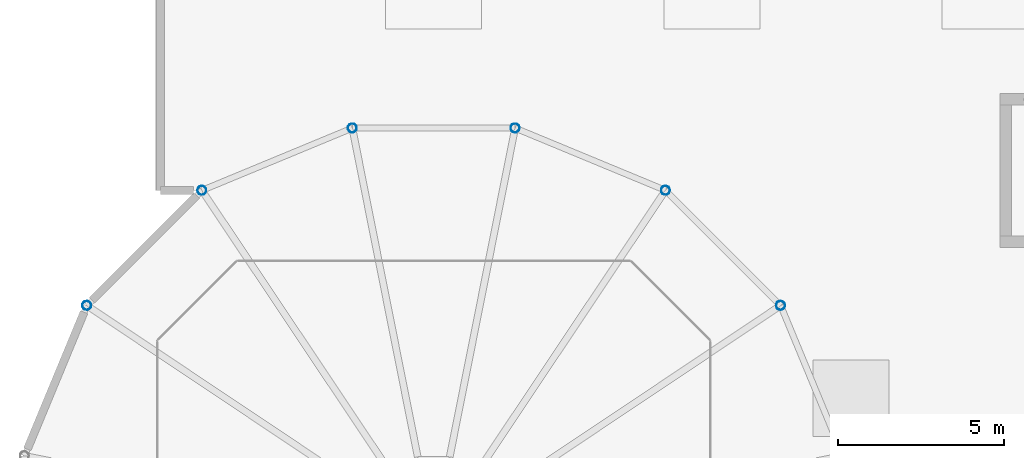
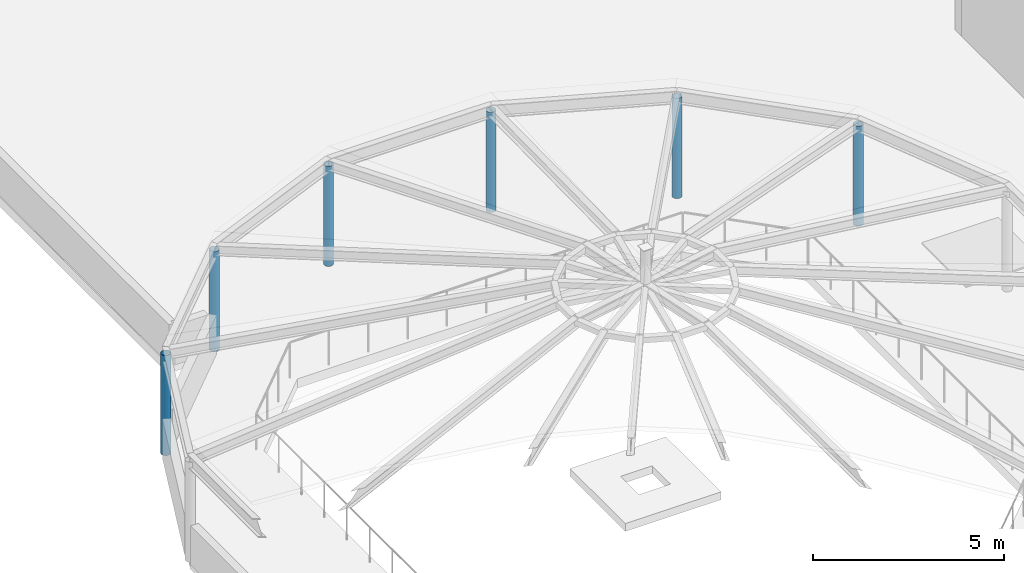
# One storey, part 2 of 85: 6 columns.
"""IFC4 building model written with IfcOpenShell, lengths in metres."""

import ifcopenshell
import ifcopenshell.guid

model = None  # the IFC model being written
_history = None  # IfcOwnerHistory: only IFC2X3 demands one
_inside = {}  # id of a spatial element -> (the spatial element, [elements in it])
_under = {}  # id of a project, library or spatial element -> (it, [spatial elements below it])
_declared = {}  # id of a project -> (the project, [libraries it declares])
_typed = {}  # id of a type object -> (the type object, [elements of that type])
_made_of = {}  # id of a material, layer set ... -> (it, [elements and type objects made of it])


def new_model(schema):
    """Start an empty IFC model of exactly this schema.

    Asked for "IFC4X3", IfcOpenShell would pick the latest addendum, in which some entities
    have other attributes; the version numbers below select the first issue.
    IFC2X3 requires an IfcOwnerHistory on every rooted entity: one is made here for all.
    """
    global model, _history
    if schema == "IFC4X3":
        model = ifcopenshell.file(schema_version=(4, 3, 0, 0))
    else:
        model = ifcopenshell.file(schema=schema)
    _inside.clear()
    _under.clear()
    _declared.clear()
    _typed.clear()
    _made_of.clear()
    _history = None
    if model.schema == "IFC2X3":
        org = make("IfcOrganization", Name="unknown")
        user = make(
            "IfcPersonAndOrganization",
            ThePerson=make("IfcPerson", FamilyName="unknown"),
            TheOrganization=org,
        )
        app = make(
            "IfcApplication",
            ApplicationDeveloper=org,
            Version="unknown",
            ApplicationFullName="unknown",
            ApplicationIdentifier="unknown",
        )
        _history = make(
            "IfcOwnerHistory",
            OwningUser=user,
            OwningApplication=app,
            ChangeAction="ADDED",
            CreationDate=0,
        )
    return model


def make(cls, **values):
    """One entity of the class cls with the attributes given. An attribute that is None is left unset."""
    return model.create_entity(
        cls, **{name: value for name, value in values.items() if value is not None}
    )


def rooted(cls, **values):
    """An entity with a GlobalId (a new one), such as an element, a storey or a relation."""
    return make(cls, GlobalId=ifcopenshell.guid.new(), OwnerHistory=_history, **values)


def si_unit(unit_type, name, prefix=None):
    """IfcSIUnit, for example si_unit("LENGTHUNIT", "METRE", prefix="MILLI")."""
    return make("IfcSIUnit", UnitType=unit_type, Prefix=prefix, Name=name)


def assignment(units):
    """IfcUnitAssignment: the units of a project."""
    return None if units is None else make("IfcUnitAssignment", Units=units)


def point(xyz):
    """IfcCartesianPoint."""
    return None if xyz is None else make("IfcCartesianPoint", Coordinates=xyz)


def direction(xyz):
    """IfcDirection."""
    return None if xyz is None else make("IfcDirection", DirectionRatios=xyz)


def frame(location, z_axis=None, x_axis=None):
    """IfcAxis2Placement3D, a coordinate frame: its origin and axes. An axis left out is left unset."""
    return make(
        "IfcAxis2Placement3D",
        Location=point(location),
        Axis=direction(z_axis),
        RefDirection=direction(x_axis),
    )


def frame_2d(location, x_axis=None):
    """IfcAxis2Placement2D, a coordinate frame in the plane: its origin and x axis."""
    return make(
        "IfcAxis2Placement2D", Location=point(location), RefDirection=direction(x_axis)
    )


def origin():
    """The frame at (0, 0, 0) with its axes left unset."""
    return frame((0.0, 0.0, 0.0))


def origin_2d():
    """The frame at (0, 0) in the plane with its x axis left unset."""
    return frame_2d((0.0, 0.0))


def place(relative_to, where):
    """IfcLocalPlacement: puts the frame where relative to a parent placement (None: the world)."""
    return make(
        "IfcLocalPlacement", PlacementRelTo=relative_to, RelativePlacement=where
    )


def context(
    kind, dimensions, precision=None, world=None, true_north=None, identifier=None
):
    """IfcGeometricRepresentationContext, for example the 3D "Model" context."""
    return make(
        "IfcGeometricRepresentationContext",
        ContextIdentifier=identifier,
        ContextType=kind,
        CoordinateSpaceDimension=dimensions,
        Precision=precision,
        WorldCoordinateSystem=world,
        TrueNorth=true_north,
    )


def subcontext(parent, identifier, kind, view, scale=None):
    """IfcGeometricRepresentationSubContext, for example "Body" below "Model"."""
    return make(
        "IfcGeometricRepresentationSubContext",
        ContextIdentifier=identifier,
        ContextType=kind,
        ParentContext=parent,
        TargetScale=scale,
        TargetView=view,
    )


def project(units=None, contexts=None):
    """IfcProject with its units and contexts."""
    return rooted(
        "IfcProject",
        Name="project",
        RepresentationContexts=contexts,
        UnitsInContext=assignment(units),
    )


def spatial(cls, under=None, at=None, **own):
    """A site, building, storey or space (cls), placed at a placement, below another one or the project."""
    s = rooted(cls, ObjectPlacement=at, **own)
    if under is not None:
        _under.setdefault(under.id(), (under, []))[1].append(s)
    return s


def profile(cls, at=None, kind="AREA", **sizes):
    """A parametric profile (cls). Its sizes go by their IFC names, for example OverallWidth=200.0."""
    return make(cls, ProfileType=kind, Position=at, **sizes)


def hollow_circle(**sizes):
    """IfcCircleHollowProfileDef."""
    return profile("IfcCircleHollowProfileDef", **sizes)


def extrude(swept, where, along, depth):
    """IfcExtrudedAreaSolid: the profile swept, set in the frame where, extruded along a direction by depth."""
    return make(
        "IfcExtrudedAreaSolid",
        SweptArea=swept,
        Position=where,
        ExtrudedDirection=direction(along),
        Depth=depth,
    )


def shape(context_of_items, identifier, shape_type, items):
    """IfcShapeRepresentation: the items that make up one representation, for example the "Body"."""
    return make(
        "IfcShapeRepresentation",
        ContextOfItems=context_of_items,
        RepresentationIdentifier=identifier,
        RepresentationType=shape_type,
        Items=items,
    )


def material(Name=None, Category=None):
    """IfcMaterial."""
    return make("IfcMaterial", Name=Name, Category=Category)


def material_profile(
    of_material, cross_section, Name=None, Category=None, Priority=None
):
    """IfcMaterialProfile: a cross section and its material."""
    return make(
        "IfcMaterialProfile",
        Name=Name,
        Material=of_material,
        Profile=cross_section,
        Priority=Priority,
        Category=Category,
    )


def profile_set(profiles, Name=None, composite=None):
    """IfcMaterialProfileSet."""
    return make(
        "IfcMaterialProfileSet",
        Name=Name,
        MaterialProfiles=profiles,
        CompositeProfile=composite,
    )


def made_of(thing, what):
    """Note that an element or type object is made of a material, layer set ...; save() writes the relation."""
    if what is not None:
        _made_of.setdefault(what.id(), (what, []))[1].append(thing)
    return thing


def type_object(cls, material=None, **own):
    """A type object (cls), such as IfcWallType, which elements share."""
    return made_of(rooted(cls, **own), material)


def element(
    cls,
    number,
    at=None,
    inside=None,
    cuts=None,
    type_object=None,
    material=None,
    context=None,
    identifier="Body",
    shape_type=None,
    held_by="IfcProductDefinitionShape",
    body=None,
    shapes=None,
    **own,
):
    """One element of the class cls, such as IfcWall. Its Tag is "e" and its number.

    at: its placement. inside: the storey or other place that contains it. cuts: it is an
    opening in that element (IfcRelVoidsElement). A single representation is given by context,
    identifier, shape_type and body (its items); several are given by shapes. held_by: the class
    of the entity that holds the representations. save() writes the other relations.
    """
    e = rooted(cls, Tag="e%d" % number, ObjectPlacement=at, **own)
    if body is not None:
        shapes = [shape(context, identifier, shape_type, body)]
    if shapes is not None:
        e.Representation = make(held_by, Representations=shapes)
    if inside is not None:
        _inside.setdefault(inside.id(), (inside, []))[1].append(e)
    if cuts is not None:
        rooted(
            "IfcRelVoidsElement", RelatingBuildingElement=cuts, RelatedOpeningElement=e
        )
    if type_object is not None:
        _typed.setdefault(type_object.id(), (type_object, []))[1].append(e)
    return made_of(e, material)


def aggregate(whole, parts):
    """IfcRelAggregates: a whole, such as a stair, and the parts it consists of."""
    return rooted("IfcRelAggregates", RelatingObject=whole, RelatedObjects=parts)


def save(model, path):
    """Write the relations noted so far, then the file.

    IfcRelAggregates (storeys below a building ...), IfcRelContainedInSpatialStructure (elements
    in a storey), IfcRelDefinesByType, IfcRelAssociatesMaterial and IfcRelDeclares: one each for
    every whole, place, type object, material and project.
    """
    for whole, parts in _under.values():
        aggregate(whole, parts)
    for where, things in _inside.values():
        rooted(
            "IfcRelContainedInSpatialStructure",
            RelatedElements=things,
            RelatingStructure=where,
        )
    for kind, things in _typed.values():
        rooted("IfcRelDefinesByType", RelatedObjects=things, RelatingType=kind)
    for what, things in _made_of.values():
        rooted("IfcRelAssociatesMaterial", RelatedObjects=things, RelatingMaterial=what)
    for by, libraries in _declared.values():
        rooted("IfcRelDeclares", RelatingContext=by, RelatedDefinitions=libraries)
    model.write(path)


model = new_model("IFC4")

# Units and contexts
model_context = context("Model", 3, precision=1e-05, world=origin(), true_north=direction((0.0, 1.0)))
body_context = subcontext(model_context, "Body", "Model", "MODEL_VIEW")
ifc_project = project(units=[si_unit("LENGTHUNIT", "METRE"), si_unit("AREAUNIT", "SQUARE_METRE"), si_unit("VOLUMEUNIT", "CUBIC_METRE"), si_unit("PLANEANGLEUNIT", "RADIAN"), si_unit("MASSUNIT", "GRAM", prefix="KILO")], contexts=[model_context])

# Site, building, storey
site_placement = place(None, origin())
site = spatial("IfcSite", under=ifc_project, at=site_placement, CompositionType="ELEMENT")
building_placement = place(site_placement, origin())
building = spatial("IfcBuilding", under=site, at=building_placement, Name="Almacenes y Pasaje Nevantli", CompositionType="ELEMENT")
storey_placement = place(building_placement, frame((0.0, 0.0, 22.199951171875)))
storey = spatial("IfcBuildingStorey", under=building, at=storey_placement, Name="L05", CompositionType="ELEMENT", Elevation=22.199951171875)

# Columns
ifc_material = material(Name="Steel ASTM A500 Grade C", Category="steel")
ifc_material_profile = material_profile(ifc_material, hollow_circle(Radius=0.136474609375, WallThickness=0.00927734375, at=origin_2d()), Name="OC 273x9.3")
ifc_profile_set = profile_set([ifc_material_profile], Name="Steel ASTM A500 Grade C")
column_type = type_object("IfcColumnType", Name="COL-STL-OC273", PredefinedType="COLUMN", material=ifc_profile_set)
for number, where, z_axis, x_axis, name in (
    (1, (18.87646484375, 15.400146484375, 0.0), (0.0, 0.0, 1.0), (1.0, 0.0, 0.0), "Rotunda Lantern Dome Steel Column CR-02"),
    (2, (15.400146484375, 18.87646484375, 0.0), (0.0, 0.0, 1.0), (1.0, 0.0, 0.0), "Rotunda Lantern Dome Steel Column CR-03"),
    (3, (10.858154296875, 20.7578125, 0.0), (0.0, 0.0, 1.0), (1.0, 0.0, 0.0), "Rotunda Lantern Dome Steel Column CR-04"),
    (4, (5.94189453125, 20.7578125, 0.0), (0.0, 0.0, 1.0), (1.0, 0.0, 0.0), "Rotunda Lantern Dome Steel Column CR-05"),
    (5, (1.39990234375, 18.87646484375, 0.0), (0.0, 0.0, 1.0), (1.0, 0.0, 0.0), "Rotunda Lantern Dome Steel Column CR-06"),
    (6, (-2.076416015625, 15.400146484375, 0.0), (0.0, 0.0, 1.0), (1.0, 0.0, 0.0), "Rotunda Lantern Dome Steel Column CR-07"),
):
    element("IfcColumn", number, at=place(storey_placement, frame(where, z_axis=z_axis, x_axis=x_axis)), inside=storey, type_object=column_type, Name=name, PredefinedType="COLUMN", context=body_context, shape_type="SweptSolid", body=[
        extrude(hollow_circle(Radius=0.136474609375, WallThickness=0.00927734375, at=origin_2d()), origin(), (0.0, 0.0, 1.0), 3.199951171875),
    ])

save(model, "model.ifc")
